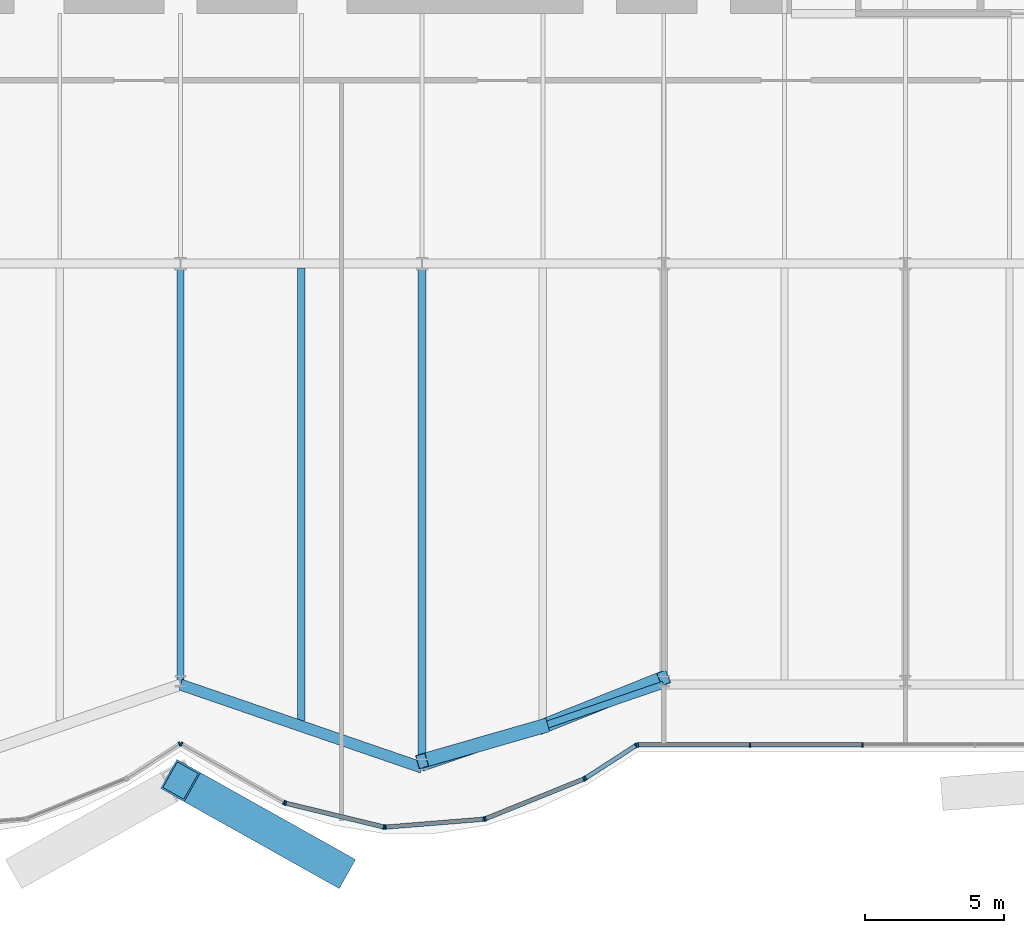
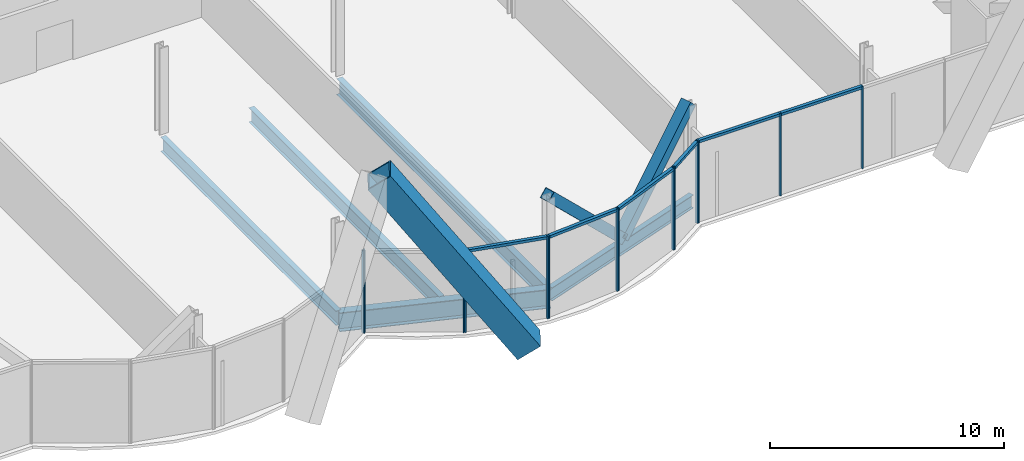
# One storey, part 8 of 21: 23 members, 5 beams, 3 elements without a shape of their own.
"""IFC4 building model written with IfcOpenShell, lengths in metres."""

import ifcopenshell
import ifcopenshell.guid

model = None  # the IFC model being written
_history = None  # IfcOwnerHistory: only IFC2X3 demands one
_inside = {}  # id of a spatial element -> (the spatial element, [elements in it])
_under = {}  # id of a project, library or spatial element -> (it, [spatial elements below it])
_declared = {}  # id of a project -> (the project, [libraries it declares])
_typed = {}  # id of a type object -> (the type object, [elements of that type])
_made_of = {}  # id of a material, layer set ... -> (it, [elements and type objects made of it])


def new_model(schema):
    """Start an empty IFC model of exactly this schema.

    Asked for "IFC4X3", IfcOpenShell would pick the latest addendum, in which some entities
    have other attributes; the version numbers below select the first issue.
    IFC2X3 requires an IfcOwnerHistory on every rooted entity: one is made here for all.
    """
    global model, _history
    if schema == "IFC4X3":
        model = ifcopenshell.file(schema_version=(4, 3, 0, 0))
    else:
        model = ifcopenshell.file(schema=schema)
    _inside.clear()
    _under.clear()
    _declared.clear()
    _typed.clear()
    _made_of.clear()
    _history = None
    if model.schema == "IFC2X3":
        org = make("IfcOrganization", Name="unknown")
        user = make(
            "IfcPersonAndOrganization",
            ThePerson=make("IfcPerson", FamilyName="unknown"),
            TheOrganization=org,
        )
        app = make(
            "IfcApplication",
            ApplicationDeveloper=org,
            Version="unknown",
            ApplicationFullName="unknown",
            ApplicationIdentifier="unknown",
        )
        _history = make(
            "IfcOwnerHistory",
            OwningUser=user,
            OwningApplication=app,
            ChangeAction="ADDED",
            CreationDate=0,
        )
    return model


def make(cls, **values):
    """One entity of the class cls with the attributes given. An attribute that is None is left unset."""
    return model.create_entity(
        cls, **{name: value for name, value in values.items() if value is not None}
    )


def rooted(cls, **values):
    """An entity with a GlobalId (a new one), such as an element, a storey or a relation."""
    return make(cls, GlobalId=ifcopenshell.guid.new(), OwnerHistory=_history, **values)


def si_unit(unit_type, name, prefix=None):
    """IfcSIUnit, for example si_unit("LENGTHUNIT", "METRE", prefix="MILLI")."""
    return make("IfcSIUnit", UnitType=unit_type, Prefix=prefix, Name=name)


def assignment(units):
    """IfcUnitAssignment: the units of a project."""
    return None if units is None else make("IfcUnitAssignment", Units=units)


def point(xyz):
    """IfcCartesianPoint."""
    return None if xyz is None else make("IfcCartesianPoint", Coordinates=xyz)


def direction(xyz):
    """IfcDirection."""
    return None if xyz is None else make("IfcDirection", DirectionRatios=xyz)


def frame(location, z_axis=None, x_axis=None):
    """IfcAxis2Placement3D, a coordinate frame: its origin and axes. An axis left out is left unset."""
    return make(
        "IfcAxis2Placement3D",
        Location=point(location),
        Axis=direction(z_axis),
        RefDirection=direction(x_axis),
    )


def frame_2d(location, x_axis=None):
    """IfcAxis2Placement2D, a coordinate frame in the plane: its origin and x axis."""
    return make(
        "IfcAxis2Placement2D", Location=point(location), RefDirection=direction(x_axis)
    )


def origin():
    """The frame at (0, 0, 0) with its axes left unset."""
    return frame((0.0, 0.0, 0.0))


def origin_2d():
    """The frame at (0, 0) in the plane with its x axis left unset."""
    return frame_2d((0.0, 0.0))


def place(relative_to, where):
    """IfcLocalPlacement: puts the frame where relative to a parent placement (None: the world)."""
    return make(
        "IfcLocalPlacement", PlacementRelTo=relative_to, RelativePlacement=where
    )


def context(
    kind, dimensions, precision=None, world=None, true_north=None, identifier=None
):
    """IfcGeometricRepresentationContext, for example the 3D "Model" context."""
    return make(
        "IfcGeometricRepresentationContext",
        ContextIdentifier=identifier,
        ContextType=kind,
        CoordinateSpaceDimension=dimensions,
        Precision=precision,
        WorldCoordinateSystem=world,
        TrueNorth=true_north,
    )


def subcontext(parent, identifier, kind, view, scale=None):
    """IfcGeometricRepresentationSubContext, for example "Body" below "Model"."""
    return make(
        "IfcGeometricRepresentationSubContext",
        ContextIdentifier=identifier,
        ContextType=kind,
        ParentContext=parent,
        TargetScale=scale,
        TargetView=view,
    )


def project(units=None, contexts=None):
    """IfcProject with its units and contexts."""
    return rooted(
        "IfcProject",
        Name="project",
        RepresentationContexts=contexts,
        UnitsInContext=assignment(units),
    )


def spatial(cls, under=None, at=None, **own):
    """A site, building, storey or space (cls), placed at a placement, below another one or the project."""
    s = rooted(cls, ObjectPlacement=at, **own)
    if under is not None:
        _under.setdefault(under.id(), (under, []))[1].append(s)
    return s


def profile(cls, at=None, kind="AREA", **sizes):
    """A parametric profile (cls). Its sizes go by their IFC names, for example OverallWidth=200.0."""
    return make(cls, ProfileType=kind, Position=at, **sizes)


def rectangle(**sizes):
    """IfcRectangleProfileDef."""
    return profile("IfcRectangleProfileDef", **sizes)


def hollow_rectangle(**sizes):
    """IfcRectangleHollowProfileDef."""
    return profile("IfcRectangleHollowProfileDef", **sizes)


def i_section(**sizes):
    """IfcIShapeProfileDef."""
    return profile("IfcIShapeProfileDef", **sizes)


def extrude(swept, where, along, depth):
    """IfcExtrudedAreaSolid: the profile swept, set in the frame where, extruded along a direction by depth."""
    return make(
        "IfcExtrudedAreaSolid",
        SweptArea=swept,
        Position=where,
        ExtrudedDirection=direction(along),
        Depth=depth,
    )


def shape(context_of_items, identifier, shape_type, items):
    """IfcShapeRepresentation: the items that make up one representation, for example the "Body"."""
    return make(
        "IfcShapeRepresentation",
        ContextOfItems=context_of_items,
        RepresentationIdentifier=identifier,
        RepresentationType=shape_type,
        Items=items,
    )


def material(Name=None, Category=None):
    """IfcMaterial."""
    return make("IfcMaterial", Name=Name, Category=Category)


def material_profile(
    of_material, cross_section, Name=None, Category=None, Priority=None
):
    """IfcMaterialProfile: a cross section and its material."""
    return make(
        "IfcMaterialProfile",
        Name=Name,
        Material=of_material,
        Profile=cross_section,
        Priority=Priority,
        Category=Category,
    )


def profile_set(profiles, Name=None, composite=None):
    """IfcMaterialProfileSet."""
    return make(
        "IfcMaterialProfileSet",
        Name=Name,
        MaterialProfiles=profiles,
        CompositeProfile=composite,
    )


def made_of(thing, what):
    """Note that an element or type object is made of a material, layer set ...; save() writes the relation."""
    if what is not None:
        _made_of.setdefault(what.id(), (what, []))[1].append(thing)
    return thing


def type_object(cls, material=None, **own):
    """A type object (cls), such as IfcWallType, which elements share."""
    return made_of(rooted(cls, **own), material)


def element(
    cls,
    number,
    at=None,
    inside=None,
    cuts=None,
    type_object=None,
    material=None,
    context=None,
    identifier="Body",
    shape_type=None,
    held_by="IfcProductDefinitionShape",
    body=None,
    shapes=None,
    **own,
):
    """One element of the class cls, such as IfcWall. Its Tag is "e" and its number.

    at: its placement. inside: the storey or other place that contains it. cuts: it is an
    opening in that element (IfcRelVoidsElement). A single representation is given by context,
    identifier, shape_type and body (its items); several are given by shapes. held_by: the class
    of the entity that holds the representations. save() writes the other relations.
    """
    e = rooted(cls, Tag="e%d" % number, ObjectPlacement=at, **own)
    if body is not None:
        shapes = [shape(context, identifier, shape_type, body)]
    if shapes is not None:
        e.Representation = make(held_by, Representations=shapes)
    if inside is not None:
        _inside.setdefault(inside.id(), (inside, []))[1].append(e)
    if cuts is not None:
        rooted(
            "IfcRelVoidsElement", RelatingBuildingElement=cuts, RelatedOpeningElement=e
        )
    if type_object is not None:
        _typed.setdefault(type_object.id(), (type_object, []))[1].append(e)
    return made_of(e, material)


def aggregate(whole, parts):
    """IfcRelAggregates: a whole, such as a stair, and the parts it consists of."""
    return rooted("IfcRelAggregates", RelatingObject=whole, RelatedObjects=parts)


def save(model, path):
    """Write the relations noted so far, then the file.

    IfcRelAggregates (storeys below a building ...), IfcRelContainedInSpatialStructure (elements
    in a storey), IfcRelDefinesByType, IfcRelAssociatesMaterial and IfcRelDeclares: one each for
    every whole, place, type object, material and project.
    """
    for whole, parts in _under.values():
        aggregate(whole, parts)
    for where, things in _inside.values():
        rooted(
            "IfcRelContainedInSpatialStructure",
            RelatedElements=things,
            RelatingStructure=where,
        )
    for kind, things in _typed.values():
        rooted("IfcRelDefinesByType", RelatedObjects=things, RelatingType=kind)
    for what, things in _made_of.values():
        rooted("IfcRelAssociatesMaterial", RelatedObjects=things, RelatingMaterial=what)
    for by, libraries in _declared.values():
        rooted("IfcRelDeclares", RelatingContext=by, RelatedDefinitions=libraries)
    model.write(path)


model = new_model("IFC4")

# Units and contexts
model_context = context("Model", 3, precision=1e-05, world=origin(), true_north=direction((0.0, 1.0)))
body_context = subcontext(model_context, "Body", "Model", "MODEL_VIEW")
ifc_project = project(units=[si_unit("LENGTHUNIT", "METRE"), si_unit("AREAUNIT", "SQUARE_METRE"), si_unit("VOLUMEUNIT", "CUBIC_METRE"), si_unit("PLANEANGLEUNIT", "RADIAN"), si_unit("MASSUNIT", "GRAM", prefix="KILO")], contexts=[model_context])

# Site, building, storey
site_placement = place(None, origin())
site = spatial("IfcSite", under=ifc_project, at=site_placement, CompositionType="ELEMENT")
building_placement = place(site_placement, origin())
building = spatial("IfcBuilding", under=site, at=building_placement, Name="Bicima Exchange Tower", CompositionType="ELEMENT")
storey_placement = place(building_placement, frame((0.0, 0.0, 80.0)))
storey = spatial("IfcBuildingStorey", under=building, at=storey_placement, Name="L16", CompositionType="ELEMENT", Elevation=80.0)

# Member
ifc_material_1 = material(Name="Steel ASTM A572 Gr 50", Category="steel")
ifc_material_profile_1 = material_profile(ifc_material_1, hollow_rectangle(XDim=1.199951171875, YDim=1.199951171875, WallThickness=0.070068359375, at=origin_2d()))
ifc_profile_set_1 = profile_set([ifc_material_profile_1], Name="Steel ASTM A572 Gr 50")
member_type_1 = type_object("IfcMemberType", Name="Exo mega brace BOX 1200x1200x70", PredefinedType="BRACE", material=ifc_profile_set_1)
member_1_placement = place(storey_placement, frame((5.583251953125, -43.742431640625, 0.074951171875), z_axis=(-0.508359163803, 0.28495588442, 0.812632207405), x_axis=(-0.488962230105, -0.872304956727, 0.0)))
element("IfcMember", 1, at=member_1_placement, inside=storey, type_object=member_type_1, Name="Exo mega brace front", PredefinedType="BRACE", context=body_context, shape_type="SweptSolid", body=[
    extrude(hollow_rectangle(XDim=1.199951171875, YDim=1.199951171875, WallThickness=0.070068359375, at=origin_2d()), origin(), (0.0, 0.0, 1.0), 10.98291015625),
])

# Beams
ifc_material_2 = material(Name="Steel ASTM A992 Gr 50", Category="steel")
ifc_material_profile_2 = material_profile(ifc_material_2, i_section(OverallWidth=0.2666015625, OverallDepth=0.75439453125, WebThickness=0.01318359375, FlangeThickness=0.01708984375, at=origin_2d()))
ifc_profile_set_2 = profile_set([ifc_material_profile_2], Name="Steel ASTM A992 Gr 50")
beam_type_1 = type_object("IfcBeamType", Name="Floor beam W30x99", PredefinedType="JOIST", material=ifc_profile_set_2)
beam_1_placement = place(storey_placement, frame((0.0, -22.16259765625, -0.527099609375), z_axis=(0.0, -1.0, 0.0), x_axis=(1.0, 0.0, 0.0)))
element("IfcBeam", 2, at=beam_1_placement, inside=storey, type_object=beam_type_1, Name="Floor beam", PredefinedType="JOIST", context=body_context, shape_type="SweptSolid", body=[
    extrude(i_section(OverallWidth=0.2666015625, OverallDepth=0.75439453125, WebThickness=0.01318359375, FlangeThickness=0.01708984375, at=origin_2d()), origin(), (0.0, 0.0, 1.0), 14.997314453125),
])
beam_2_placement = place(storey_placement, frame((4.35009765625, -22.16259765625, -0.527099609375), z_axis=(0.0, -1.0, 0.0), x_axis=(1.0, 0.0, 0.0)))
element("IfcBeam", 3, at=beam_2_placement, inside=storey, type_object=beam_type_1, Name="Floor beam", PredefinedType="JOIST", context=body_context, shape_type="SweptSolid", body=[
    extrude(i_section(OverallWidth=0.2666015625, OverallDepth=0.75439453125, WebThickness=0.01318359375, FlangeThickness=0.01708984375, at=origin_2d()), origin(), (0.0, 0.0, 1.0), 16.28076171875),
])
ifc_material_profile_3 = material_profile(ifc_material_2, i_section(OverallWidth=0.2919921875, OverallDepth=0.835693359375, WebThickness=0.013916015625, FlangeThickness=0.018798828125, at=origin_2d()))
ifc_profile_set_3 = profile_set([ifc_material_profile_3], Name="Steel ASTM A992 Gr 50")
beam_type_2 = type_object("IfcBeamType", Name="Floor beam W33x118", PredefinedType="JOIST", material=ifc_profile_set_3)
beam_3_placement = place(storey_placement, frame((8.699951171875, -22.16259765625, -0.56787109375), z_axis=(0.0, -1.0, 0.0), x_axis=(1.0, 0.0, 0.0)))
element("IfcBeam", 4, at=beam_3_placement, inside=storey, type_object=beam_type_2, Name="Floor beam", PredefinedType="JOIST", context=body_context, shape_type="SweptSolid", body=[
    extrude(i_section(OverallWidth=0.2919921875, OverallDepth=0.835693359375, WebThickness=0.013916015625, FlangeThickness=0.018798828125, at=origin_2d()), origin(), (0.0, 0.0, 1.0), 17.7763671875),
])
ifc_material_profile_4 = material_profile(ifc_material_2, i_section(OverallWidth=0.256591796875, OverallDepth=0.693359375, WebThickness=0.014404296875, FlangeThickness=0.023681640625, at=origin_2d()))
ifc_profile_set_4 = profile_set([ifc_material_profile_4], Name="Steel ASTM A992 Gr 50")
beam_type_3 = type_object("IfcBeamType", Name="Front girder W27x114", PredefinedType="BEAM", material=ifc_profile_set_4)
beam_4_placement = place(storey_placement, frame((8.699951171875, -40.151123046875, -0.49658203125), z_axis=(0.945666456746, 0.325138359143, 0.0), x_axis=(-0.325138359143, 0.945666456746, 0.0)))
element("IfcBeam", 5, at=beam_4_placement, inside=storey, type_object=beam_type_3, Name="Front girder", PredefinedType="BEAM", context=body_context, shape_type="SweptSolid", body=[
    extrude(i_section(OverallWidth=0.256591796875, OverallDepth=0.693359375, WebThickness=0.014404296875, FlangeThickness=0.023681640625, at=origin_2d()), origin(), (0.0, 0.0, 1.0), 9.19970703125),
])
ifc_material_profile_5 = material_profile(ifc_material_2, i_section(OverallWidth=0.4013671875, OverallDepth=0.990478515625, WebThickness=0.0166015625, FlangeThickness=0.031005859375, at=origin_2d()))
ifc_profile_set_5 = profile_set([ifc_material_profile_5], Name="Steel ASTM A992 Gr 50")
beam_type_4 = type_object("IfcBeamType", Name="Front girder W40x215", PredefinedType="BEAM", material=ifc_profile_set_5)
beam_5_placement = place(storey_placement, frame((0.0, -37.159912109375, -0.645263671875), z_axis=(0.945666456746, -0.325138359143, 0.0), x_axis=(0.325138359143, 0.945666456746, 0.0)))
element("IfcBeam", 6, at=beam_5_placement, inside=storey, type_object=beam_type_4, Name="Front girder", PredefinedType="BEAM", context=body_context, shape_type="SweptSolid", body=[
    extrude(i_section(OverallWidth=0.4013671875, OverallDepth=0.990478515625, WebThickness=0.0166015625, FlangeThickness=0.031005859375, at=origin_2d()), origin(), (0.0, 0.0, 1.0), 9.19970703125),
])

# Curtain wall, member
ifc_material_3 = material(Name="Anodised bronze aluminium", Category="aluminium")
curtain_wall_type = type_object("IfcCurtainWallType", Name="Front glass wall", PredefinedType="NOTDEFINED", material=ifc_material_3)
curtain_wall_1_placement = place(storey_placement, origin())
curtain_wall_1 = element("IfcCurtainWall", 7, at=curtain_wall_1_placement, inside=storey, type_object=curtain_wall_type, Name="Front glass wall L16 run 6", PredefinedType="NOTDEFINED")
ifc_material_profile_6 = material_profile(ifc_material_3, rectangle(XDim=0.159912109375, YDim=0.06005859375, at=origin_2d()))
ifc_profile_set_6 = profile_set([ifc_material_profile_6], Name="Anodised bronze aluminium")
member_type_2 = type_object("IfcMemberType", Name="Front glass wall mullion 60 x 160", PredefinedType="MULLION", material=ifc_profile_set_6)
member_2_placement = place(storey_placement, frame((-0.025146484375, -39.302490234375, 0.0), z_axis=(0.0, 0.0, 1.0), x_axis=(-0.542897457326, 0.839798994301, 0.0)))
member_2 = element("IfcMember", 8, at=member_2_placement, type_object=member_type_2, Name="Front glass wall mullion 2", PredefinedType="MULLION", context=body_context, shape_type="SweptSolid", body=[
    extrude(rectangle(XDim=0.159912109375, YDim=0.06005859375, at=origin_2d()), origin(), (0.0, 0.0, 1.0), 4.300048828125),
])
aggregate(curtain_wall_1, [member_2])

# Curtain wall, members
curtain_wall_2_placement = place(storey_placement, origin())
curtain_wall_2 = element("IfcCurtainWall", 9, at=curtain_wall_2_placement, inside=storey, type_object=curtain_wall_type, Name="Front glass wall L16 run 11", PredefinedType="NOTDEFINED")
member_3_placement = place(storey_placement, frame((0.026123046875, -39.301025390625, 0.0), z_axis=(0.0, 0.0, 1.0), x_axis=(0.494330311331, 0.869274147378, 0.0)))
member_3 = element("IfcMember", 10, at=member_3_placement, type_object=member_type_2, Name="Front glass wall mullion 1", PredefinedType="MULLION", context=body_context, shape_type="SweptSolid", body=[
    extrude(rectangle(XDim=0.159912109375, YDim=0.06005859375, at=origin_2d()), origin(), (0.0, 0.0, 1.0), 4.300048828125),
])
member_4_placement = place(storey_placement, frame((3.7265625, -41.405517578125, 0.0), z_axis=(0.0, 0.0, 1.0), x_axis=(0.494330311331, 0.869274147378, 0.0)))
member_4 = element("IfcMember", 11, at=member_4_placement, type_object=member_type_2, Name="Front glass wall mullion 2", PredefinedType="MULLION", context=body_context, shape_type="SweptSolid", body=[
    extrude(rectangle(XDim=0.159912109375, YDim=0.06005859375, at=origin_2d()), origin(), (0.0, 0.0, 1.0), 4.300048828125),
])
member_5_placement = place(storey_placement, frame((3.781982421875, -41.42724609375, 0.0), z_axis=(0.0, 0.0, 1.0), x_axis=(0.235681529503, 0.971830343553, 0.0)))
member_5 = element("IfcMember", 12, at=member_5_placement, type_object=member_type_2, Name="Front glass wall mullion 1", PredefinedType="MULLION", context=body_context, shape_type="SweptSolid", body=[
    extrude(rectangle(XDim=0.159912109375, YDim=0.06005859375, at=origin_2d()), origin(), (0.0, 0.0, 1.0), 4.300048828125),
])
member_6_placement = place(storey_placement, frame((7.322509765625, -42.285888671875, 0.0), z_axis=(0.0, 0.0, 1.0), x_axis=(0.235681529503, 0.971830343553, 0.0)))
member_6 = element("IfcMember", 13, at=member_6_placement, type_object=member_type_2, Name="Front glass wall mullion 2", PredefinedType="MULLION", context=body_context, shape_type="SweptSolid", body=[
    extrude(rectangle(XDim=0.159912109375, YDim=0.06005859375, at=origin_2d()), origin(), (0.0, 0.0, 1.0), 4.300048828125),
])
member_7_placement = place(storey_placement, frame((7.381591796875, -42.29052734375, 0.0), z_axis=(0.0, 0.0, 1.0), x_axis=(-0.080588612633, 0.99674744821, 0.0)))
member_7 = element("IfcMember", 14, at=member_7_placement, type_object=member_type_2, Name="Front glass wall mullion 1", PredefinedType="MULLION", context=body_context, shape_type="SweptSolid", body=[
    extrude(rectangle(XDim=0.159912109375, YDim=0.06005859375, at=origin_2d()), origin(), (0.0, 0.0, 1.0), 4.300048828125),
])
member_8_placement = place(storey_placement, frame((10.916015625, -42.0048828125, 0.0), z_axis=(0.0, 0.0, 1.0), x_axis=(-0.080588612633, 0.99674744821, 0.0)))
member_8 = element("IfcMember", 15, at=member_8_placement, type_object=member_type_2, Name="Front glass wall mullion 2", PredefinedType="MULLION", context=body_context, shape_type="SweptSolid", body=[
    extrude(rectangle(XDim=0.159912109375, YDim=0.06005859375, at=origin_2d()), origin(), (0.0, 0.0, 1.0), 4.300048828125),
])
member_9_placement = place(storey_placement, frame((10.973876953125, -41.9912109375, 0.0), z_axis=(0.0, 0.0, 1.0), x_axis=(-0.374705304, 0.92714396679, 0.0)))
member_9 = element("IfcMember", 16, at=member_9_placement, type_object=member_type_2, Name="Front glass wall mullion 1", PredefinedType="MULLION", context=body_context, shape_type="SweptSolid", body=[
    extrude(rectangle(XDim=0.159912109375, YDim=0.06005859375, at=origin_2d()), origin(), (0.0, 0.0, 1.0), 4.300048828125),
])
member_10_placement = place(storey_placement, frame((14.52587890625, -40.5556640625, 0.0), z_axis=(0.0, 0.0, 1.0), x_axis=(-0.374705304, 0.92714396679, 0.0)))
member_10 = element("IfcMember", 17, at=member_10_placement, type_object=member_type_2, Name="Front glass wall mullion 2", PredefinedType="MULLION", context=body_context, shape_type="SweptSolid", body=[
    extrude(rectangle(XDim=0.159912109375, YDim=0.06005859375, at=origin_2d()), origin(), (0.0, 0.0, 1.0), 4.300048828125),
])
member_11_placement = place(storey_placement, frame((14.578857421875, -40.528076171875, 0.0), z_axis=(0.0, 0.0, 1.0), x_axis=(-0.542909183079, 0.839791413941, 0.0)))
member_11 = element("IfcMember", 18, at=member_11_placement, type_object=member_type_2, Name="Front glass wall mullion 1", PredefinedType="MULLION", context=body_context, shape_type="SweptSolid", body=[
    extrude(rectangle(XDim=0.159912109375, YDim=0.06005859375, at=origin_2d()), origin(), (0.0, 0.0, 1.0), 4.300048828125),
])
member_12_placement = place(storey_placement, frame((16.406982421875, -39.34619140625, 0.0), z_axis=(0.0, 0.0, 1.0), x_axis=(-0.542909183079, 0.839791413941, 0.0)))
member_12 = element("IfcMember", 19, at=member_12_placement, type_object=member_type_2, Name="Front glass wall mullion 2", PredefinedType="MULLION", context=body_context, shape_type="SweptSolid", body=[
    extrude(rectangle(XDim=0.159912109375, YDim=0.06005859375, at=origin_2d()), origin(), (0.0, 0.0, 1.0), 4.300048828125),
])

curtain_wall_3_placement = place(storey_placement, origin())
curtain_wall_3 = element("IfcCurtainWall", 20, at=curtain_wall_3_placement, inside=storey, type_object=curtain_wall_type, Name="Front glass wall L16 run 16", PredefinedType="NOTDEFINED")
member_13_placement = place(storey_placement, frame((16.462158203125, -39.330078125, 0.0), z_axis=(0.0, 0.0, 1.0), x_axis=(0.0, 1.0, 0.0)))
member_13 = element("IfcMember", 21, at=member_13_placement, type_object=member_type_2, Name="Front glass wall mullion 1", PredefinedType="MULLION", context=body_context, shape_type="SweptSolid", body=[
    extrude(rectangle(XDim=0.159912109375, YDim=0.06005859375, at=origin_2d()), origin(), (0.0, 0.0, 1.0), 4.300048828125),
])
member_14_placement = place(storey_placement, frame((20.51171875, -39.330078125, 0.0), z_axis=(0.0, 0.0, 1.0), x_axis=(0.0, 1.0, 0.0)))
member_14 = element("IfcMember", 22, at=member_14_placement, type_object=member_type_2, Name="Front glass wall mullion 2", PredefinedType="MULLION", context=body_context, shape_type="SweptSolid", body=[
    extrude(rectangle(XDim=0.159912109375, YDim=0.06005859375, at=origin_2d()), origin(), (0.0, 0.0, 1.0), 4.300048828125),
])
member_15_placement = place(storey_placement, frame((24.56103515625, -39.330078125, 0.0), z_axis=(0.0, 0.0, 1.0), x_axis=(0.0, 1.0, 0.0)))
member_15 = element("IfcMember", 23, at=member_15_placement, type_object=member_type_2, Name="Front glass wall mullion 3", PredefinedType="MULLION", context=body_context, shape_type="SweptSolid", body=[
    extrude(rectangle(XDim=0.159912109375, YDim=0.06005859375, at=origin_2d()), origin(), (0.0, 0.0, 1.0), 4.300048828125),
])

# Member
ifc_material_profile_7 = material_profile(ifc_material_3, rectangle(XDim=0.159912109375, YDim=0.139892578125, at=origin_2d()))
ifc_profile_set_7 = profile_set([ifc_material_profile_7], Name="Anodised bronze aluminium")
member_type_3 = type_object("IfcMemberType", Name="Front glass wall transom 140 x 160", PredefinedType="USERDEFINED", material=ifc_profile_set_7)
member_16_placement = place(storey_placement, frame((3.81103515625, -41.434326171875, 4.22998046875), z_axis=(0.971833557815, -0.235668275132, 0.0), x_axis=(0.235668275132, 0.971833557815, 0.0)))
member_16 = element("IfcMember", 24, at=member_16_placement, type_object=member_type_3, Name="Front glass wall transom 1.1", ObjectType="TRANSOM", PredefinedType="USERDEFINED", context=body_context, shape_type="SweptSolid", body=[
    extrude(rectangle(XDim=0.159912109375, YDim=0.139892578125, at=origin_2d()), origin(), (0.0, 0.0, 1.0), 3.583251953125),
])

member_17_placement = place(storey_placement, frame((7.41162109375, -42.2880859375, 4.22998046875), z_axis=(0.9967456465, 0.080610893699, 0.0), x_axis=(-0.080610893699, 0.9967456465, 0.0)))
member_17 = element("IfcMember", 25, at=member_17_placement, type_object=member_type_3, Name="Front glass wall transom 1.1", ObjectType="TRANSOM", PredefinedType="USERDEFINED", context=body_context, shape_type="SweptSolid", body=[
    extrude(rectangle(XDim=0.159912109375, YDim=0.139892578125, at=origin_2d()), origin(), (0.0, 0.0, 1.0), 3.48583984375),
])

member_18_placement = place(storey_placement, frame((11.001708984375, -41.97998046875, 4.22998046875), z_axis=(0.927140215882, 0.374714584842, 0.0), x_axis=(-0.374714584842, 0.927140215882, 0.0)))
member_18 = element("IfcMember", 26, at=member_18_placement, type_object=member_type_3, Name="Front glass wall transom 1.1", ObjectType="TRANSOM", PredefinedType="USERDEFINED", context=body_context, shape_type="SweptSolid", body=[
    extrude(rectangle(XDim=0.159912109375, YDim=0.139892578125, at=origin_2d()), origin(), (0.0, 0.0, 1.0), 3.77099609375),
])

member_19_placement = place(storey_placement, frame((14.60400390625, -40.51171875, 4.22998046875), z_axis=(0.839792890287, 0.542906899407, 0.0), x_axis=(-0.542906899407, 0.839792890287, 0.0)))
member_19 = element("IfcMember", 27, at=member_19_placement, type_object=member_type_3, Name="Front glass wall transom 1.1", ObjectType="TRANSOM", PredefinedType="USERDEFINED", context=body_context, shape_type="SweptSolid", body=[
    extrude(rectangle(XDim=0.159912109375, YDim=0.139892578125, at=origin_2d()), origin(), (0.0, 0.0, 1.0), 2.11669921875),
])

aggregate(curtain_wall_2, [member_3, member_4, member_5, member_6, member_16, member_7, member_8, member_17, member_9, member_10, member_18, member_11, member_12, member_19])

member_20_placement = place(storey_placement, frame((16.4921875, -39.330078125, 4.22998046875), z_axis=(1.0, 0.0, 0.0), x_axis=(0.0, 1.0, 0.0)))
member_20 = element("IfcMember", 28, at=member_20_placement, type_object=member_type_3, Name="Front glass wall transom 1.1", ObjectType="TRANSOM", PredefinedType="USERDEFINED", context=body_context, shape_type="SweptSolid", body=[
    extrude(rectangle(XDim=0.159912109375, YDim=0.139892578125, at=origin_2d()), origin(), (0.0, 0.0, 1.0), 3.989501953125),
])

member_21_placement = place(storey_placement, frame((20.54150390625, -39.330078125, 4.22998046875), z_axis=(1.0, 0.0, 0.0), x_axis=(0.0, 1.0, 0.0)))
member_21 = element("IfcMember", 29, at=member_21_placement, type_object=member_type_3, Name="Front glass wall transom 2.1", ObjectType="TRANSOM", PredefinedType="USERDEFINED", context=body_context, shape_type="SweptSolid", body=[
    extrude(rectangle(XDim=0.159912109375, YDim=0.139892578125, at=origin_2d()), origin(), (0.0, 0.0, 1.0), 3.989501953125),
])

aggregate(curtain_wall_3, [member_13, member_14, member_15, member_20, member_21])

# Members
ifc_material_profile_8 = material_profile(ifc_material_1, hollow_rectangle(XDim=0.508056640625, YDim=0.508056640625, WallThickness=0.017822265625, at=origin_2d()))
ifc_profile_set_8 = profile_set([ifc_material_profile_8], Name="Steel ASTM A572 Gr 50")
member_type_4 = type_object("IfcMemberType", Name="Mega brace HSS20x20x3/4", PredefinedType="BRACE", material=ifc_profile_set_8)
member_22_placement = place(storey_placement, frame((13.050048828125, -38.655517578125, 0.0), z_axis=(0.669627633412, 0.267783402821, 0.692741569234), x_axis=(-0.371309808925, 0.928509033772, 0.0)))
element("IfcMember", 30, at=member_22_placement, inside=storey, type_object=member_type_4, Name="Mega brace front", PredefinedType="BRACE", context=body_context, shape_type="SweptSolid", body=[
    extrude(hollow_rectangle(XDim=0.508056640625, YDim=0.508056640625, WallThickness=0.017822265625, at=origin_2d()), origin(), (0.0, 0.0, 1.0), 6.495849609375),
])
member_23_placement = place(storey_placement, frame((13.050048828125, -38.655517578125, 0.0), z_axis=(-0.681539584879, -0.196069812105, 0.705025122264), x_axis=(0.276473064615, -0.961021667052, 0.0)))
element("IfcMember", 31, at=member_23_placement, inside=storey, type_object=member_type_4, Name="Mega brace front", PredefinedType="BRACE", context=body_context, shape_type="SweptSolid", body=[
    extrude(hollow_rectangle(XDim=0.508056640625, YDim=0.508056640625, WallThickness=0.017822265625, at=origin_2d()), origin(), (0.0, 0.0, 1.0), 6.3828125),
])

save(model, "model.ifc")
